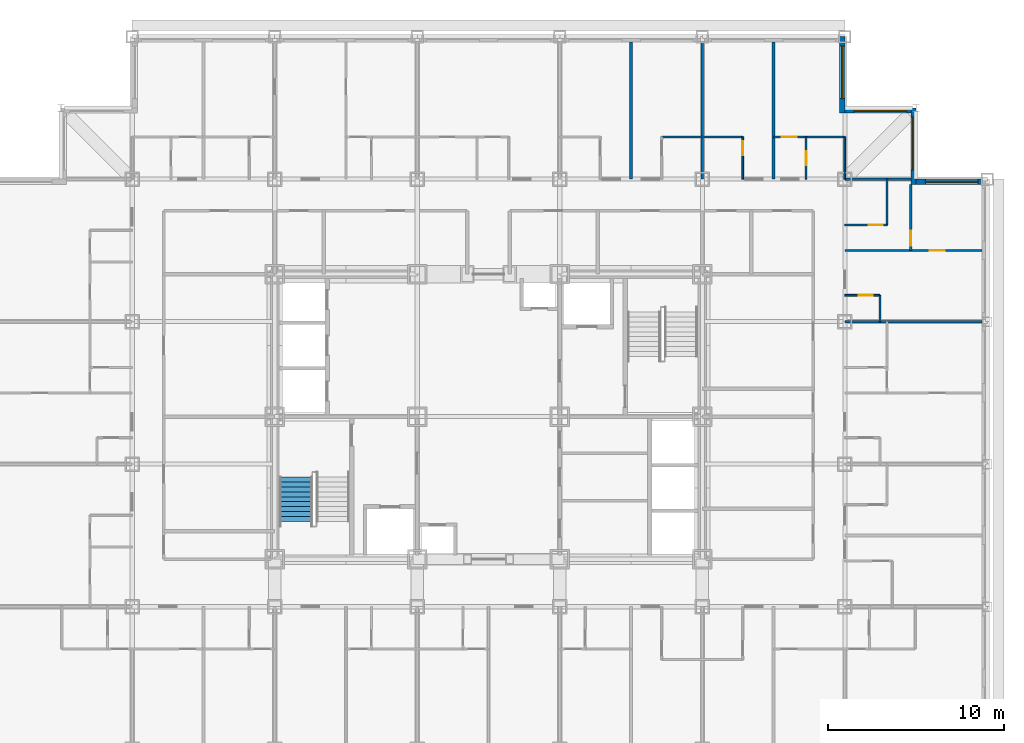
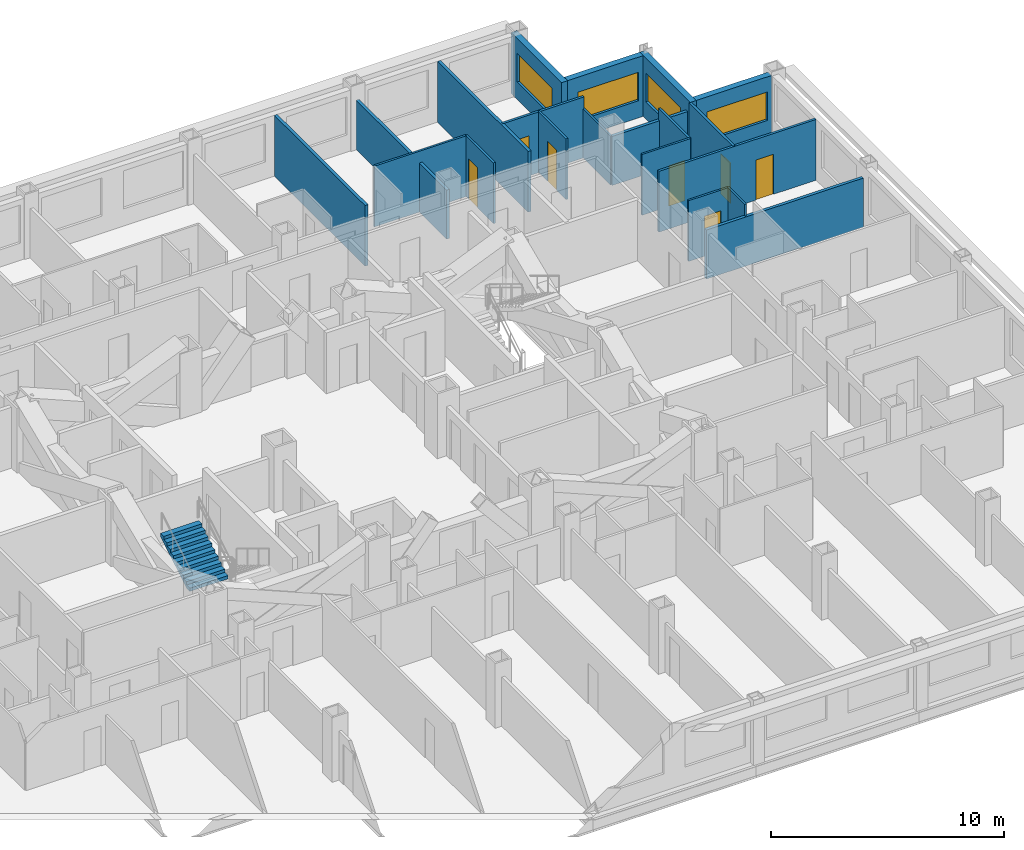
# One storey, part 11 of 13: 20 walls, 7 doors, 4 windows, 1 stair flight, 11 openings, 1 element without a shape of its own.
"""IFC4 building model written with IfcOpenShell, lengths in metres."""

import ifcopenshell
import ifcopenshell.guid

model = None  # the IFC model being written
_history = None  # IfcOwnerHistory: only IFC2X3 demands one
_inside = {}  # id of a spatial element -> (the spatial element, [elements in it])
_under = {}  # id of a project, library or spatial element -> (it, [spatial elements below it])
_declared = {}  # id of a project -> (the project, [libraries it declares])
_typed = {}  # id of a type object -> (the type object, [elements of that type])
_made_of = {}  # id of a material, layer set ... -> (it, [elements and type objects made of it])


def new_model(schema):
    """Start an empty IFC model of exactly this schema.

    Asked for "IFC4X3", IfcOpenShell would pick the latest addendum, in which some entities
    have other attributes; the version numbers below select the first issue.
    IFC2X3 requires an IfcOwnerHistory on every rooted entity: one is made here for all.
    """
    global model, _history
    if schema == "IFC4X3":
        model = ifcopenshell.file(schema_version=(4, 3, 0, 0))
    else:
        model = ifcopenshell.file(schema=schema)
    _inside.clear()
    _under.clear()
    _declared.clear()
    _typed.clear()
    _made_of.clear()
    _history = None
    if model.schema == "IFC2X3":
        org = make("IfcOrganization", Name="unknown")
        user = make(
            "IfcPersonAndOrganization",
            ThePerson=make("IfcPerson", FamilyName="unknown"),
            TheOrganization=org,
        )
        app = make(
            "IfcApplication",
            ApplicationDeveloper=org,
            Version="unknown",
            ApplicationFullName="unknown",
            ApplicationIdentifier="unknown",
        )
        _history = make(
            "IfcOwnerHistory",
            OwningUser=user,
            OwningApplication=app,
            ChangeAction="ADDED",
            CreationDate=0,
        )
    return model


def make(cls, **values):
    """One entity of the class cls with the attributes given. An attribute that is None is left unset."""
    return model.create_entity(
        cls, **{name: value for name, value in values.items() if value is not None}
    )


def rooted(cls, **values):
    """An entity with a GlobalId (a new one), such as an element, a storey or a relation."""
    return make(cls, GlobalId=ifcopenshell.guid.new(), OwnerHistory=_history, **values)


def si_unit(unit_type, name, prefix=None):
    """IfcSIUnit, for example si_unit("LENGTHUNIT", "METRE", prefix="MILLI")."""
    return make("IfcSIUnit", UnitType=unit_type, Prefix=prefix, Name=name)


def assignment(units):
    """IfcUnitAssignment: the units of a project."""
    return None if units is None else make("IfcUnitAssignment", Units=units)


def point(xyz):
    """IfcCartesianPoint."""
    return None if xyz is None else make("IfcCartesianPoint", Coordinates=xyz)


def direction(xyz):
    """IfcDirection."""
    return None if xyz is None else make("IfcDirection", DirectionRatios=xyz)


def frame(location, z_axis=None, x_axis=None):
    """IfcAxis2Placement3D, a coordinate frame: its origin and axes. An axis left out is left unset."""
    return make(
        "IfcAxis2Placement3D",
        Location=point(location),
        Axis=direction(z_axis),
        RefDirection=direction(x_axis),
    )


def frame_2d(location, x_axis=None):
    """IfcAxis2Placement2D, a coordinate frame in the plane: its origin and x axis."""
    return make(
        "IfcAxis2Placement2D", Location=point(location), RefDirection=direction(x_axis)
    )


def origin():
    """The frame at (0, 0, 0) with its axes left unset."""
    return frame((0.0, 0.0, 0.0))


def place(relative_to, where):
    """IfcLocalPlacement: puts the frame where relative to a parent placement (None: the world)."""
    return make(
        "IfcLocalPlacement", PlacementRelTo=relative_to, RelativePlacement=where
    )


def context(
    kind, dimensions, precision=None, world=None, true_north=None, identifier=None
):
    """IfcGeometricRepresentationContext, for example the 3D "Model" context."""
    return make(
        "IfcGeometricRepresentationContext",
        ContextIdentifier=identifier,
        ContextType=kind,
        CoordinateSpaceDimension=dimensions,
        Precision=precision,
        WorldCoordinateSystem=world,
        TrueNorth=true_north,
    )


def subcontext(parent, identifier, kind, view, scale=None):
    """IfcGeometricRepresentationSubContext, for example "Body" below "Model"."""
    return make(
        "IfcGeometricRepresentationSubContext",
        ContextIdentifier=identifier,
        ContextType=kind,
        ParentContext=parent,
        TargetScale=scale,
        TargetView=view,
    )


def project(units=None, contexts=None):
    """IfcProject with its units and contexts."""
    return rooted(
        "IfcProject",
        Name="project",
        RepresentationContexts=contexts,
        UnitsInContext=assignment(units),
    )


def spatial(cls, under=None, at=None, **own):
    """A site, building, storey or space (cls), placed at a placement, below another one or the project."""
    s = rooted(cls, ObjectPlacement=at, **own)
    if under is not None:
        _under.setdefault(under.id(), (under, []))[1].append(s)
    return s


def point_list(points):
    """IfcCartesianPointList2D or 3D."""
    cls = (
        "IfcCartesianPointList2D" if len(points[0]) == 2 else "IfcCartesianPointList3D"
    )
    return make(cls, CoordList=points)


def profile(cls, at=None, kind="AREA", **sizes):
    """A parametric profile (cls). Its sizes go by their IFC names, for example OverallWidth=200.0."""
    return make(cls, ProfileType=kind, Position=at, **sizes)


def rectangle(**sizes):
    """IfcRectangleProfileDef."""
    return profile("IfcRectangleProfileDef", **sizes)


def extrude(swept, where, along, depth):
    """IfcExtrudedAreaSolid: the profile swept, set in the frame where, extruded along a direction by depth."""
    return make(
        "IfcExtrudedAreaSolid",
        SweptArea=swept,
        Position=where,
        ExtrudedDirection=direction(along),
        Depth=depth,
    )


def polygons(points, faces, closed=None, point_numbers=None):
    """IfcPolygonalFaceSet: a face is its outer loop, then its inner loops; points numbered from 1."""
    made = []
    for loops in faces:
        if len(loops) == 1:
            made.append(make("IfcIndexedPolygonalFace", CoordIndex=loops[0]))
        else:
            made.append(
                make(
                    "IfcIndexedPolygonalFaceWithVoids",
                    CoordIndex=loops[0],
                    InnerCoordIndices=loops[1:],
                )
            )
    return make(
        "IfcPolygonalFaceSet",
        Coordinates=point_list(points),
        Closed=closed,
        Faces=made,
        PnIndex=point_numbers,
    )


def shape(context_of_items, identifier, shape_type, items):
    """IfcShapeRepresentation: the items that make up one representation, for example the "Body"."""
    return make(
        "IfcShapeRepresentation",
        ContextOfItems=context_of_items,
        RepresentationIdentifier=identifier,
        RepresentationType=shape_type,
        Items=items,
    )


def source(mapping_origin, context_of_items, identifier, shape_type, items):
    """IfcRepresentationMap: a shape defined once, which mapped items show again and again."""
    return make(
        "IfcRepresentationMap",
        MappingOrigin=mapping_origin,
        MappedRepresentation=shape(context_of_items, identifier, shape_type, items),
    )


def transform(
    local_origin,
    x_axis=None,
    y_axis=None,
    z_axis=None,
    scale=None,
    scale2=None,
    scale3=None,
    uniform=True,
):
    """IfcCartesianTransformationOperator3D, or its non-uniform kind. x_axis, y_axis, z_axis: its Axis1, 2, 3."""
    if uniform:
        return make(
            "IfcCartesianTransformationOperator3D",
            Axis1=direction(x_axis),
            Axis2=direction(y_axis),
            LocalOrigin=point(local_origin),
            Scale=scale,
            Axis3=direction(z_axis),
        )
    return make(
        "IfcCartesianTransformationOperator3DnonUniform",
        Axis1=direction(x_axis),
        Axis2=direction(y_axis),
        LocalOrigin=point(local_origin),
        Scale=scale,
        Axis3=direction(z_axis),
        Scale2=scale2,
        Scale3=scale3,
    )


def mapped(mapping_source, mapping_target):
    """IfcMappedItem: shows the shape of a source again, moved by a transform."""
    return make(
        "IfcMappedItem", MappingSource=mapping_source, MappingTarget=mapping_target
    )


def material(Name=None, Category=None):
    """IfcMaterial."""
    return make("IfcMaterial", Name=Name, Category=Category)


def layer(
    of_material, thickness, ventilated=None, Name=None, Category=None, Priority=None
):
    """IfcMaterialLayer: one layer of a wall or slab, of a material (None: an air gap)."""
    return make(
        "IfcMaterialLayer",
        Material=of_material,
        LayerThickness=thickness,
        IsVentilated=ventilated,
        Name=Name,
        Category=Category,
        Priority=Priority,
    )


def layer_set(layers, Name=None):
    """IfcMaterialLayerSet."""
    return make("IfcMaterialLayerSet", MaterialLayers=layers, LayerSetName=Name)


def made_of(thing, what):
    """Note that an element or type object is made of a material, layer set ...; save() writes the relation."""
    if what is not None:
        _made_of.setdefault(what.id(), (what, []))[1].append(thing)
    return thing


def type_object(cls, material=None, **own):
    """A type object (cls), such as IfcWallType, which elements share."""
    return made_of(rooted(cls, **own), material)


def element(
    cls,
    number,
    at=None,
    inside=None,
    cuts=None,
    type_object=None,
    material=None,
    context=None,
    identifier="Body",
    shape_type=None,
    held_by="IfcProductDefinitionShape",
    body=None,
    shapes=None,
    **own,
):
    """One element of the class cls, such as IfcWall. Its Tag is "e" and its number.

    at: its placement. inside: the storey or other place that contains it. cuts: it is an
    opening in that element (IfcRelVoidsElement). A single representation is given by context,
    identifier, shape_type and body (its items); several are given by shapes. held_by: the class
    of the entity that holds the representations. save() writes the other relations.
    """
    e = rooted(cls, Tag="e%d" % number, ObjectPlacement=at, **own)
    if body is not None:
        shapes = [shape(context, identifier, shape_type, body)]
    if shapes is not None:
        e.Representation = make(held_by, Representations=shapes)
    if inside is not None:
        _inside.setdefault(inside.id(), (inside, []))[1].append(e)
    if cuts is not None:
        rooted(
            "IfcRelVoidsElement", RelatingBuildingElement=cuts, RelatedOpeningElement=e
        )
    if type_object is not None:
        _typed.setdefault(type_object.id(), (type_object, []))[1].append(e)
    return made_of(e, material)


def fill(opening, filler):
    """IfcRelFillsElement: the door or window that sits in an opening."""
    return rooted(
        "IfcRelFillsElement",
        RelatingOpeningElement=opening,
        RelatedBuildingElement=filler,
    )


def aggregate(whole, parts):
    """IfcRelAggregates: a whole, such as a stair, and the parts it consists of."""
    return rooted("IfcRelAggregates", RelatingObject=whole, RelatedObjects=parts)


def save(model, path):
    """Write the relations noted so far, then the file.

    IfcRelAggregates (storeys below a building ...), IfcRelContainedInSpatialStructure (elements
    in a storey), IfcRelDefinesByType, IfcRelAssociatesMaterial and IfcRelDeclares: one each for
    every whole, place, type object, material and project.
    """
    for whole, parts in _under.values():
        aggregate(whole, parts)
    for where, things in _inside.values():
        rooted(
            "IfcRelContainedInSpatialStructure",
            RelatedElements=things,
            RelatingStructure=where,
        )
    for kind, things in _typed.values():
        rooted("IfcRelDefinesByType", RelatedObjects=things, RelatingType=kind)
    for what, things in _made_of.values():
        rooted("IfcRelAssociatesMaterial", RelatedObjects=things, RelatingMaterial=what)
    for by, libraries in _declared.values():
        rooted("IfcRelDeclares", RelatingContext=by, RelatedDefinitions=libraries)
    model.write(path)


model = new_model("IFC4")

# Units and contexts
model_context = context("Model", 3, precision=1e-05, world=origin(), true_north=direction((0.0, 1.0)))
body_context = subcontext(model_context, "Body", "Model", "MODEL_VIEW")
ifc_project = project(units=[si_unit("LENGTHUNIT", "METRE"), si_unit("AREAUNIT", "SQUARE_METRE"), si_unit("VOLUMEUNIT", "CUBIC_METRE"), si_unit("PLANEANGLEUNIT", "RADIAN"), si_unit("MASSUNIT", "GRAM", prefix="KILO")], contexts=[model_context])

# Site, building, storey
site_placement = place(None, origin())
site = spatial("IfcSite", under=ifc_project, at=site_placement, CompositionType="ELEMENT")
building_placement = place(site_placement, origin())
building = spatial("IfcBuilding", under=site, at=building_placement, Name="Kopane Lantern Tower", CompositionType="ELEMENT")
storey_placement = place(building_placement, frame((0.0, 0.0, 130.60009765625)))
storey = spatial("IfcBuildingStorey", under=building, at=storey_placement, Name="L33", CompositionType="ELEMENT", Elevation=130.60009765625)

# Wall, opening, door
ifc_material_1 = material(Name="Gypsum board on steel studs", Category="steel")
ifc_layer_1 = layer(ifc_material_1, 0.1201171875)
ifc_layer_set_1 = layer_set([ifc_layer_1], Name="APARTMENT INTERNAL WALL 120")
wall_type_1 = type_object("IfcWallType", Name="APARTMENT INTERNAL WALL 120", PredefinedType="PARTITIONING", material=ifc_layer_set_1)
wall_1_placement = place(storey_placement, frame((48.60009765625, 41.85009765625, 0.0), z_axis=(0.0, 0.0, 1.0), x_axis=(1.0, 0.0, 0.0)))
wall_1 = element("IfcWall", 1, at=wall_1_placement, inside=storey, type_object=wall_type_1, Name="Apartment Internal Wall 120 L33", PredefinedType="PARTITIONING", context=body_context, shape_type="SweptSolid", body=[
    extrude(rectangle(XDim=7.7998046875, YDim=0.1201171875, at=frame_2d((3.89990234375, 0.0))), origin(), (0.0, 0.0, 1.0), 3.18994140625),
])
opening_1_placement = place(wall_1_placement, frame((4.824951171875, 0.0, 0.0)))
opening_1 = element("IfcOpeningElement", 2, at=opening_1_placement, cuts=wall_1, Name="Opening L33-064", PredefinedType="OPENING", context=body_context, shape_type="SweptSolid", body=[
    extrude(rectangle(XDim=0.85009765625, YDim=2.10009765625, at=frame_2d((0.425048828125, 1.050048828125))), frame((0.0, 0.070068359375, 0.0), z_axis=(0.0, -1.0, 0.0), x_axis=(1.0, 0.0, 0.0)), (0.0, 0.0, 1.0), 0.14013671875),
])
ifc_material_2 = material(Name="Timber door set", Category="wood")
door_type_1 = type_object("IfcDoorType", Name="DOOR D4 850x2100", OperationType="SINGLE_SWING_LEFT", PredefinedType="DOOR", material=ifc_material_2)
door_1_placement = place(opening_1_placement, origin())
door_1 = element("IfcDoor", 3, at=door_1_placement, inside=storey, type_object=door_type_1, Name="Door L33-064", OperationType="SINGLE_SWING_LEFT", OverallHeight=2.10009765625, OverallWidth=0.85009765625, PredefinedType="DOOR", context=body_context, shape_type="SweptSolid", body=[
    extrude(rectangle(XDim=0.85009765625, YDim=2.10009765625, at=frame_2d((0.425048828125, 1.050048828125))), frame((0.0, 0.02490234375, 0.0), z_axis=(0.0, -1.0, 0.0), x_axis=(1.0, 0.0, 0.0)), (0.0, 0.0, 1.0), 0.050048828125),
])
fill(opening_1, door_1)

wall_2_placement = place(storey_placement, frame((44.550048828125, 48.300048828125, 0.0), z_axis=(0.0, 0.0, 1.0), x_axis=(1.0, 0.0, 0.0)))
wall_2 = element("IfcWall", 4, at=wall_2_placement, inside=storey, type_object=wall_type_1, Name="Apartment Internal Wall 120 L33", PredefinedType="PARTITIONING", context=body_context, shape_type="SweptSolid", body=[
    extrude(rectangle(XDim=4.050048828125, YDim=0.1201171875, at=frame_2d((2.02490234375, 0.0))), origin(), (0.0, 0.0, 1.0), 3.18994140625),
])
opening_2_placement = place(wall_2_placement, frame((0.47509765625, 0.0, 0.0)))
opening_2 = element("IfcOpeningElement", 5, at=opening_2_placement, cuts=wall_2, Name="Opening L33-075", PredefinedType="OPENING", context=body_context, shape_type="SweptSolid", body=[
    extrude(rectangle(XDim=0.85009765625, YDim=2.10009765625, at=frame_2d((0.425048828125, 1.050048828125))), frame((0.0, 0.070068359375, 0.0), z_axis=(0.0, -1.0, 0.0), x_axis=(1.0, 0.0, 0.0)), (0.0, 0.0, 1.0), 0.14013671875),
])
door_2_placement = place(opening_2_placement, origin())
door_2 = element("IfcDoor", 6, at=door_2_placement, inside=storey, type_object=door_type_1, Name="Door L33-075", OperationType="SINGLE_SWING_LEFT", OverallHeight=2.10009765625, OverallWidth=0.85009765625, PredefinedType="DOOR", context=body_context, shape_type="SweptSolid", body=[
    extrude(rectangle(XDim=0.85009765625, YDim=2.10009765625, at=frame_2d((0.425048828125, 1.050048828125))), frame((0.0, 0.02490234375, 0.0), z_axis=(0.0, -1.0, 0.0), x_axis=(1.0, 0.0, 0.0)), (0.0, 0.0, 1.0), 0.050048828125),
])
fill(opening_2, door_2)

wall_3_placement = place(storey_placement, frame((52.35009765625, 45.60009765625, 0.0), z_axis=(0.0, 0.0, 1.0), x_axis=(0.0, -1.0, 0.0)))
wall_3 = element("IfcWall", 7, at=wall_3_placement, inside=storey, type_object=wall_type_1, Name="Apartment Internal Wall 120 L33", PredefinedType="PARTITIONING", context=body_context, shape_type="SweptSolid", body=[
    extrude(rectangle(XDim=3.75, YDim=0.1201171875, at=frame_2d((1.875, 0.0))), origin(), (0.0, 0.0, 1.0), 3.18994140625),
])
opening_3_placement = place(wall_3_placement, frame((2.625, 0.0, 0.0)))
opening_3 = element("IfcOpeningElement", 8, at=opening_3_placement, cuts=wall_3, Name="Opening L33-087", PredefinedType="OPENING", context=body_context, shape_type="SweptSolid", body=[
    extrude(rectangle(XDim=0.85009765625, YDim=2.10009765625, at=frame_2d((0.425048828125, 1.050048828125))), frame((0.0, 0.070068359375, 0.0), z_axis=(0.0, -1.0, 0.0), x_axis=(1.0, 0.0, 0.0)), (0.0, 0.0, 1.0), 0.14013671875),
])
door_3_placement = place(opening_3_placement, origin())
door_3 = element("IfcDoor", 9, at=door_3_placement, inside=storey, type_object=door_type_1, Name="Door L33-087", OperationType="SINGLE_SWING_RIGHT", OverallHeight=2.10009765625, OverallWidth=0.85009765625, PredefinedType="DOOR", context=body_context, shape_type="SweptSolid", body=[
    extrude(rectangle(XDim=0.85009765625, YDim=2.10009765625, at=frame_2d((0.425048828125, 1.050048828125))), frame((0.0, 0.02490234375, 0.0), z_axis=(0.0, -1.0, 0.0), x_axis=(1.0, 0.0, 0.0)), (0.0, 0.0, 1.0), 0.050048828125),
])
fill(opening_3, door_3)

# Wall
ifc_material_3 = material(Name="Moisture-resistant board on steel studs", Category="steel")
ifc_layer_2 = layer(ifc_material_3, 0.10009765625)
ifc_layer_set_2 = layer_set([ifc_layer_2], Name="BATHROOM WALL 100")
wall_type_2 = type_object("IfcWallType", Name="BATHROOM WALL 100", PredefinedType="PARTITIONING", material=ifc_layer_set_2)
wall_4_placement = place(storey_placement, frame((38.199951171875, 48.300048828125, 0.0), z_axis=(0.0, 0.0, 1.0), x_axis=(1.0, 0.0, 0.0)))
element("IfcWall", 10, at=wall_4_placement, inside=storey, type_object=wall_type_2, Name="Bathroom Wall 100 L33", PredefinedType="PARTITIONING", context=body_context, shape_type="SweptSolid", body=[
    extrude(rectangle(XDim=4.60009765625, YDim=0.10009765625, at=frame_2d((2.300048828125, 0.0))), origin(), (0.0, 0.0, 1.0), 3.18994140625),
])

# Wall, opening, door
wall_5_placement = place(storey_placement, frame((42.800048828125, 45.89990234375, 0.0), z_axis=(0.0, 0.0, 1.0), x_axis=(0.0, 1.0, 0.0)))
wall_5 = element("IfcWall", 11, at=wall_5_placement, inside=storey, type_object=wall_type_2, Name="Bathroom Wall 100 L33", PredefinedType="PARTITIONING", context=body_context, shape_type="SweptSolid", body=[
    extrude(rectangle(XDim=2.400146484375, YDim=0.10009765625, at=frame_2d((1.2001953125, 0.0))), origin(), (0.0, 0.0, 1.0), 3.18994140625),
])
opening_4_placement = place(wall_5_placement, frame((1.35009765625, 0.0, 0.0)))
opening_4 = element("IfcOpeningElement", 12, at=opening_4_placement, cuts=wall_5, Name="Opening L33-041", PredefinedType="OPENING", context=body_context, shape_type="SweptSolid", body=[
    extrude(rectangle(XDim=0.800048828125, YDim=2.10009765625, at=frame_2d((0.39990234375, 1.050048828125))), frame((0.0, 0.06005859375, 0.0), z_axis=(0.0, -1.0, 0.0), x_axis=(1.0, 0.0, 0.0)), (0.0, 0.0, 1.0), 0.1201171875),
])
ifc_material_4 = material(Name="Timber door set", Category="wood")
door_type_2 = type_object("IfcDoorType", Name="DOOR D2 800x2100", OperationType="SINGLE_SWING_LEFT", PredefinedType="DOOR", material=ifc_material_4)
door_4_placement = place(opening_4_placement, origin())
door_4 = element("IfcDoor", 13, at=door_4_placement, inside=storey, type_object=door_type_2, Name="Door L33-041", OperationType="SINGLE_SWING_RIGHT", OverallHeight=2.10009765625, OverallWidth=0.800048828125, PredefinedType="DOOR", context=body_context, shape_type="SweptSolid", body=[
    extrude(rectangle(XDim=0.800048828125, YDim=2.10009765625, at=frame_2d((0.39990234375, 1.050048828125))), frame((0.0, 0.02490234375, 0.0), z_axis=(0.0, -1.0, 0.0), x_axis=(1.0, 0.0, 0.0)), (0.0, 0.0, 1.0), 0.050048828125),
])
fill(opening_4, door_4)

# Wall
wall_6_placement = place(storey_placement, frame((50.60009765625, 37.800048828125, 0.0), z_axis=(0.0, 0.0, 1.0), x_axis=(0.0, 1.0, 0.0)))
element("IfcWall", 14, at=wall_6_placement, inside=storey, type_object=wall_type_2, Name="Bathroom Wall 100 L33", PredefinedType="PARTITIONING", context=body_context, shape_type="SweptSolid", body=[
    extrude(rectangle(XDim=1.5, YDim=0.10009765625, at=frame_2d((0.75, 0.0))), origin(), (0.0, 0.0, 1.0), 3.18994140625),
])

# Wall, opening, door
wall_7_placement = place(storey_placement, frame((48.60009765625, 39.300048828125, 0.0), z_axis=(0.0, 0.0, 1.0), x_axis=(1.0, 0.0, 0.0)))
wall_7 = element("IfcWall", 15, at=wall_7_placement, inside=storey, type_object=wall_type_2, Name="Bathroom Wall 100 L33", PredefinedType="PARTITIONING", context=body_context, shape_type="SweptSolid", body=[
    extrude(rectangle(XDim=2.0, YDim=0.10009765625, at=frame_2d((1.0, 0.0))), origin(), (0.0, 0.0, 1.0), 3.18994140625),
])
opening_5_placement = place(wall_7_placement, frame((0.800048828125, 0.0, 0.0)))
opening_5 = element("IfcOpeningElement", 16, at=opening_5_placement, cuts=wall_7, Name="Opening L33-061", PredefinedType="OPENING", context=body_context, shape_type="SweptSolid", body=[
    extrude(rectangle(XDim=0.800048828125, YDim=2.10009765625, at=frame_2d((0.39990234375, 1.050048828125))), frame((0.0, 0.06005859375, 0.0), z_axis=(0.0, -1.0, 0.0), x_axis=(1.0, 0.0, 0.0)), (0.0, 0.0, 1.0), 0.1201171875),
])
door_5_placement = place(opening_5_placement, origin())
door_5 = element("IfcDoor", 17, at=door_5_placement, inside=storey, type_object=door_type_2, Name="Door L33-061", OperationType="SINGLE_SWING_LEFT", OverallHeight=2.10009765625, OverallWidth=0.800048828125, PredefinedType="DOOR", context=body_context, shape_type="SweptSolid", body=[
    extrude(rectangle(XDim=0.800048828125, YDim=2.10009765625, at=frame_2d((0.39990234375, 1.050048828125))), frame((0.0, 0.02490234375, 0.0), z_axis=(0.0, -1.0, 0.0), x_axis=(1.0, 0.0, 0.0)), (0.0, 0.0, 1.0), 0.050048828125),
])
fill(opening_5, door_5)

# Wall
wall_8_placement = place(storey_placement, frame((51.0, 43.300048828125, 0.0), z_axis=(0.0, 0.0, 1.0), x_axis=(0.0, 1.0, 0.0)))
element("IfcWall", 18, at=wall_8_placement, inside=storey, type_object=wall_type_2, Name="Bathroom Wall 100 L33", PredefinedType="PARTITIONING", context=body_context, shape_type="SweptSolid", body=[
    extrude(rectangle(XDim=2.599853515625, YDim=0.10009765625, at=frame_2d((1.2998046875, 0.0))), origin(), (0.0, 0.0, 1.0), 3.18994140625),
])

# Wall, opening, door
wall_9_placement = place(storey_placement, frame((48.60009765625, 43.300048828125, 0.0), z_axis=(0.0, 0.0, 1.0), x_axis=(1.0, 0.0, 0.0)))
wall_9 = element("IfcWall", 19, at=wall_9_placement, inside=storey, type_object=wall_type_2, Name="Bathroom Wall 100 L33", PredefinedType="PARTITIONING", context=body_context, shape_type="SweptSolid", body=[
    extrude(rectangle(XDim=2.39990234375, YDim=0.10009765625, at=frame_2d((1.199951171875, 0.0))), origin(), (0.0, 0.0, 1.0), 3.18994140625),
])
opening_6_placement = place(wall_9_placement, frame((1.35009765625, 0.0, 0.0)))
opening_6 = element("IfcOpeningElement", 20, at=opening_6_placement, cuts=wall_9, Name="Opening L33-063", PredefinedType="OPENING", context=body_context, shape_type="SweptSolid", body=[
    extrude(rectangle(XDim=0.800048828125, YDim=2.10009765625, at=frame_2d((0.39990234375, 1.050048828125))), frame((0.0, 0.06005859375, 0.0), z_axis=(0.0, -1.0, 0.0), x_axis=(1.0, 0.0, 0.0)), (0.0, 0.0, 1.0), 0.1201171875),
])
door_6_placement = place(opening_6_placement, origin())
door_6 = element("IfcDoor", 21, at=door_6_placement, inside=storey, type_object=door_type_2, Name="Door L33-063", OperationType="SINGLE_SWING_RIGHT", OverallHeight=2.10009765625, OverallWidth=0.800048828125, PredefinedType="DOOR", context=body_context, shape_type="SweptSolid", body=[
    extrude(rectangle(XDim=0.800048828125, YDim=2.10009765625, at=frame_2d((0.39990234375, 1.050048828125))), frame((0.0, 0.02490234375, 0.0), z_axis=(0.0, -1.0, 0.0), x_axis=(1.0, 0.0, 0.0)), (0.0, 0.0, 1.0), 0.050048828125),
])
fill(opening_6, door_6)

wall_10_placement = place(storey_placement, frame((46.39990234375, 45.89990234375, 0.0), z_axis=(0.0, 0.0, 1.0), x_axis=(0.0, 1.0, 0.0)))
wall_10 = element("IfcWall", 22, at=wall_10_placement, inside=storey, type_object=wall_type_2, Name="Bathroom Wall 100 L33", PredefinedType="PARTITIONING", context=body_context, shape_type="SweptSolid", body=[
    extrude(rectangle(XDim=2.400146484375, YDim=0.10009765625, at=frame_2d((1.2001953125, 0.0))), origin(), (0.0, 0.0, 1.0), 3.18994140625),
])
opening_7_placement = place(wall_10_placement, frame((0.800048828125, 0.0, 0.0)))
opening_7 = element("IfcOpeningElement", 23, at=opening_7_placement, cuts=wall_10, Name="Opening L33-073", PredefinedType="OPENING", context=body_context, shape_type="SweptSolid", body=[
    extrude(rectangle(XDim=0.800048828125, YDim=2.10009765625, at=frame_2d((0.39990234375, 1.050048828125))), frame((0.0, 0.06005859375, 0.0), z_axis=(0.0, -1.0, 0.0), x_axis=(1.0, 0.0, 0.0)), (0.0, 0.0, 1.0), 0.1201171875),
])
door_7_placement = place(opening_7_placement, origin())
door_7 = element("IfcDoor", 24, at=door_7_placement, inside=storey, type_object=door_type_2, Name="Door L33-073", OperationType="SINGLE_SWING_RIGHT", OverallHeight=2.10009765625, OverallWidth=0.800048828125, PredefinedType="DOOR", context=body_context, shape_type="SweptSolid", body=[
    extrude(rectangle(XDim=0.800048828125, YDim=2.10009765625, at=frame_2d((0.39990234375, 1.050048828125))), frame((0.0, 0.02490234375, 0.0), z_axis=(0.0, -1.0, 0.0), x_axis=(1.0, 0.0, 0.0)), (0.0, 0.0, 1.0), 0.050048828125),
])
fill(opening_7, door_7)

# Walls
wall_11_placement = place(storey_placement, frame((48.60009765625, 45.89990234375, 0.0), z_axis=(0.0, 0.0, 1.0), x_axis=(0.0, 1.0, 0.0)))
element("IfcWall", 25, at=wall_11_placement, inside=storey, type_object=wall_type_2, Name="Bathroom Wall 100 L33", PredefinedType="PARTITIONING", context=body_context, shape_type="SweptSolid", body=[
    extrude(rectangle(XDim=2.400146484375, YDim=0.10009765625, at=frame_2d((1.2001953125, 0.0))), origin(), (0.0, 0.0, 1.0), 2.57763671875),
])
ifc_material_5 = material(Name="Gypsum board on steel studs", Category="steel")
ifc_layer_3 = layer(ifc_material_5, 0.14990234375)
ifc_layer_set_3 = layer_set([ifc_layer_3], Name="DEMISING WALL 150 EI 60")
wall_type_3 = type_object("IfcWallType", Name="DEMISING WALL 150 EI 60", PredefinedType="PARTITIONING", material=ifc_layer_set_3)
wall_12_placement = place(storey_placement, frame((36.449951171875, 45.89990234375, 0.0), z_axis=(0.0, 0.0, 1.0), x_axis=(0.0, 1.0, 0.0)))
element("IfcWall", 26, at=wall_12_placement, inside=storey, type_object=wall_type_3, Name="Demising Wall 150 Ei 60 L33", PredefinedType="PARTITIONING", context=body_context, shape_type="SweptSolid", body=[
    extrude(rectangle(XDim=7.800048828125, YDim=0.14990234375, at=frame_2d((3.89990234375, 0.0))), origin(), (0.0, 0.0, 1.0), 3.18994140625),
])
wall_13_placement = place(storey_placement, frame((40.5, 45.89990234375, 0.0), z_axis=(0.0, 0.0, 1.0), x_axis=(0.0, 1.0, 0.0)))
element("IfcWall", 27, at=wall_13_placement, inside=storey, type_object=wall_type_3, Name="Demising Wall 150 Ei 60 L33", PredefinedType="PARTITIONING", context=body_context, shape_type="SweptSolid", body=[
    extrude(rectangle(XDim=7.800048828125, YDim=0.14990234375, at=frame_2d((3.89990234375, 0.0))), origin(), (0.0, 0.0, 1.0), 2.57763671875),
])
wall_14_placement = place(storey_placement, frame((48.60009765625, 37.800048828125, 0.0), z_axis=(0.0, 0.0, 1.0), x_axis=(1.0, 0.0, 0.0)))
element("IfcWall", 28, at=wall_14_placement, inside=storey, type_object=wall_type_3, Name="Demising Wall 150 Ei 60 L33", PredefinedType="PARTITIONING", context=body_context, shape_type="SweptSolid", body=[
    extrude(rectangle(XDim=7.7998046875, YDim=0.14990234375, at=frame_2d((3.89990234375, 0.0))), origin(), (0.0, 0.0, 1.0), 2.57763671875),
])
wall_15_placement = place(storey_placement, frame((48.60009765625, 45.89990234375, 0.0), z_axis=(0.0, 0.0, 1.0), x_axis=(1.0, 0.0, 0.0)))
element("IfcWall", 29, at=wall_15_placement, inside=storey, type_object=wall_type_3, Name="Demising Wall 150 Ei 60 L33", PredefinedType="PARTITIONING", context=body_context, shape_type="SweptSolid", body=[
    extrude(rectangle(XDim=3.75, YDim=0.14990234375, at=frame_2d((1.875, 0.0))), origin(), (0.0, 0.0, 1.0), 2.57763671875),
])
wall_16_placement = place(storey_placement, frame((44.550048828125, 45.89990234375, 0.0), z_axis=(0.0, 0.0, 1.0), x_axis=(0.0, 1.0, 0.0)))
element("IfcWall", 30, at=wall_16_placement, inside=storey, type_object=wall_type_3, Name="Demising Wall 150 Ei 60 L33", PredefinedType="PARTITIONING", context=body_context, shape_type="SweptSolid", body=[
    extrude(rectangle(XDim=7.800048828125, YDim=0.14990234375, at=frame_2d((3.89990234375, 0.0))), origin(), (0.0, 0.0, 1.0), 3.18994140625),
])

# Wall, opening, window
ifc_material_6 = material(Name="Terracotta rainscreen on light steel framing", Category="masonry")
ifc_layer_4 = layer(ifc_material_6, 0.300048828125)
ifc_layer_set_4 = layer_set([ifc_layer_4], Name="EXTERNAL WALL EW1 300 TERRACOTTA")
wall_type_4 = type_object("IfcWallType", Name="EXTERNAL WALL EW1 300 TERRACOTTA", PredefinedType="SOLIDWALL", material=ifc_layer_set_4)
wall_17_placement = place(storey_placement, frame((56.39990234375, 45.75, 0.0), z_axis=(0.0, 0.0, 1.0), x_axis=(-1.0, 0.0, 0.0)))
wall_17 = element("IfcWall", 31, at=wall_17_placement, inside=storey, type_object=wall_type_4, Name="External wall N L33", PredefinedType="SOLIDWALL", context=body_context, shape_type="SweptSolid", body=[
    extrude(rectangle(XDim=3.75, YDim=0.300048828125, at=frame_2d((1.875, 0.0))), origin(), (0.0, 0.0, 1.0), 3.18994140625),
])
opening_8_placement = place(wall_17_placement, frame((0.22509765625, 0.0, 0.89990234375)))
opening_8 = element("IfcOpeningElement", 32, at=opening_8_placement, cuts=wall_17, Name="Opening WR300150", PredefinedType="OPENING", context=body_context, shape_type="SweptSolid", body=[
    extrude(rectangle(XDim=3.0, YDim=1.5, at=frame_2d((1.5, 0.75))), frame((0.0, 0.159912109375, 0.0), z_axis=(0.0, -1.0, 0.0), x_axis=(1.0, 0.0, 0.0)), (0.0, 0.0, 1.0), 0.320068359375),
])
ifc_material_7 = material(Name="Aluminium and clear glass", Category="aluminium")
window_type = type_object("IfcWindowType", Name="RIBBON WINDOW WR300150 3000x1500", PartitioningType="SINGLE_PANEL", PredefinedType="WINDOW", material=ifc_material_7)
window_1_placement = place(opening_8_placement, origin())
window_1 = element("IfcWindow", 33, at=window_1_placement, inside=storey, type_object=window_type, Name="Window N L33", OverallHeight=1.5, OverallWidth=3.0, PartitioningType="SINGLE_PANEL", PredefinedType="WINDOW", context=body_context, shape_type="SweptSolid", body=[
    extrude(rectangle(XDim=3.0, YDim=1.5, at=frame_2d((1.5, 0.75))), frame((0.0, 0.030029296875, 0.0), z_axis=(0.0, -1.0, 0.0), x_axis=(1.0, 0.0, 0.0)), (0.0, 0.0, 1.0), 0.06005859375),
])
fill(opening_8, window_1)

wall_18_placement = place(storey_placement, frame((52.5, 45.60009765625, 0.0), z_axis=(0.0, 0.0, 1.0), x_axis=(0.0, 1.0, 0.0)))
wall_18 = element("IfcWall", 34, at=wall_18_placement, inside=storey, type_object=wall_type_4, Name="External wall E L33", PredefinedType="SOLIDWALL", context=body_context, shape_type="SweptSolid", body=[
    extrude(rectangle(XDim=4.349853515625, YDim=0.300048828125, at=frame_2d((2.1748046875, 0.0))), origin(), (0.0, 0.0, 1.0), 3.18994140625),
])
opening_9_placement = place(wall_18_placement, frame((0.824951171875, 0.0, 0.89990234375)))
opening_9 = element("IfcOpeningElement", 35, at=opening_9_placement, cuts=wall_18, Name="Opening WR300150", PredefinedType="OPENING", context=body_context, shape_type="SweptSolid", body=[
    extrude(rectangle(XDim=3.0, YDim=1.5, at=frame_2d((1.5, 0.75))), frame((0.0, 0.159912109375, 0.0), z_axis=(0.0, -1.0, 0.0), x_axis=(1.0, 0.0, 0.0)), (0.0, 0.0, 1.0), 0.320068359375),
])
window_2_placement = place(opening_9_placement, origin())
window_2 = element("IfcWindow", 36, at=window_2_placement, inside=storey, type_object=window_type, Name="Window E L33", OverallHeight=1.5, OverallWidth=3.0, PartitioningType="SINGLE_PANEL", PredefinedType="WINDOW", context=body_context, shape_type="SweptSolid", body=[
    extrude(rectangle(XDim=3.0, YDim=1.5, at=frame_2d((1.5, 0.75))), frame((0.0, 0.030029296875, 0.0), z_axis=(0.0, -1.0, 0.0), x_axis=(1.0, 0.0, 0.0)), (0.0, 0.0, 1.0), 0.06005859375),
])
fill(opening_9, window_2)

wall_19_placement = place(storey_placement, frame((52.35009765625, 49.800048828125, 0.0), z_axis=(0.0, 0.0, 1.0), x_axis=(-1.0, 0.0, 0.0)))
wall_19 = element("IfcWall", 37, at=wall_19_placement, inside=storey, type_object=wall_type_4, Name="External wall N L33", PredefinedType="SOLIDWALL", context=body_context, shape_type="SweptSolid", body=[
    extrude(rectangle(XDim=3.75, YDim=0.300048828125, at=frame_2d((1.875, 0.0))), origin(), (0.0, 0.0, 1.0), 3.18994140625),
])
opening_10_placement = place(wall_19_placement, frame((0.22509765625, 0.0, 0.89990234375)))
opening_10 = element("IfcOpeningElement", 38, at=opening_10_placement, cuts=wall_19, Name="Opening WR300150", PredefinedType="OPENING", context=body_context, shape_type="SweptSolid", body=[
    extrude(rectangle(XDim=3.0, YDim=1.5, at=frame_2d((1.5, 0.75))), frame((0.0, 0.159912109375, 0.0), z_axis=(0.0, -1.0, 0.0), x_axis=(1.0, 0.0, 0.0)), (0.0, 0.0, 1.0), 0.320068359375),
])
window_3_placement = place(opening_10_placement, origin())
window_3 = element("IfcWindow", 39, at=window_3_placement, inside=storey, type_object=window_type, Name="Window N L33", OverallHeight=1.5, OverallWidth=3.0, PartitioningType="SINGLE_PANEL", PredefinedType="WINDOW", context=body_context, shape_type="SweptSolid", body=[
    extrude(rectangle(XDim=3.0, YDim=1.5, at=frame_2d((1.5, 0.75))), frame((0.0, 0.030029296875, 0.0), z_axis=(0.0, -1.0, 0.0), x_axis=(1.0, 0.0, 0.0)), (0.0, 0.0, 1.0), 0.06005859375),
])
fill(opening_10, window_3)

wall_20_placement = place(storey_placement, frame((48.449951171875, 49.64990234375, 0.0), z_axis=(0.0, 0.0, 1.0), x_axis=(0.0, 1.0, 0.0)))
wall_20 = element("IfcWall", 40, at=wall_20_placement, inside=storey, type_object=wall_type_4, Name="External wall E L33", PredefinedType="SOLIDWALL", context=body_context, shape_type="SweptSolid", body=[
    extrude(rectangle(XDim=4.35009765625, YDim=0.300048828125, at=frame_2d((2.175048828125, 0.0))), origin(), (0.0, 0.0, 1.0), 3.18994140625),
])
opening_11_placement = place(wall_20_placement, frame((0.824951171875, 0.0, 0.89990234375)))
opening_11 = element("IfcOpeningElement", 41, at=opening_11_placement, cuts=wall_20, Name="Opening WR300150", PredefinedType="OPENING", context=body_context, shape_type="SweptSolid", body=[
    extrude(rectangle(XDim=3.0, YDim=1.5, at=frame_2d((1.5, 0.75))), frame((0.0, 0.159912109375, 0.0), z_axis=(0.0, -1.0, 0.0), x_axis=(1.0, 0.0, 0.0)), (0.0, 0.0, 1.0), 0.320068359375),
])
window_4_placement = place(opening_11_placement, origin())
window_4 = element("IfcWindow", 42, at=window_4_placement, inside=storey, type_object=window_type, Name="Window E L33", OverallHeight=1.5, OverallWidth=3.0, PartitioningType="SINGLE_PANEL", PredefinedType="WINDOW", context=body_context, shape_type="SweptSolid", body=[
    extrude(rectangle(XDim=3.0, YDim=1.5, at=frame_2d((1.5, 0.75))), frame((0.0, 0.030029296875, 0.0), z_axis=(0.0, -1.0, 0.0), x_axis=(1.0, 0.0, 0.0)), (0.0, 0.0, 1.0), 0.06005859375),
])
fill(opening_11, window_4)

# Stair, stair flight
ifc_material_8 = material(Name="Steel S355JR", Category="steel")
stair_type = type_object("IfcStairType", Name="EXIT STAIR 1900 HALF TURN", PredefinedType="HALF_TURN_STAIR", material=ifc_material_8)
stair_placement = place(storey_placement, origin())
stair = element("IfcStair", 43, at=stair_placement, inside=storey, type_object=stair_type, Name="Exit stair ST1 L33", PredefinedType="HALF_TURN_STAIR")
ifc_material_9 = material(Name="Steel S355JR", Category="steel")
stair_flight_type = type_object("IfcStairFlightType", Name="STAIR FLIGHT 1900 STEEL", PredefinedType="STRAIGHT", material=ifc_material_9)
shared_shape = source(origin(), body_context, "Body", "Tessellation", [
    polygons([(2.520019531, 0.949951172, 1.530029297), (2.239990234, 0.949951172, 1.530029297), (2.239990234, -0.949951172, 1.530029297), (2.520019531, -0.949951172, 1.530029297), (0.288818359, 0.949951172, 0.0), (2.520019531, 0.949951172, 1.354736328), (2.520019531, -0.949951172, 1.354736328), (0.288818359, -0.949951172, 0.0), (0.0, 0.949951172, 0.0), (0.0, -0.949951172, 0.0), (0.280029297, 0.949951172, 0.169921875), (0.0, 0.949951172, 0.169921875), (0.0, -0.949951172, 0.169921875), (0.280029297, -0.949951172, 0.169921875), (0.280029297, 0.949951172, 0.340087891), (0.280029297, -0.949951172, 0.340087891), (0.560058594, 0.949951172, 0.340087891), (0.560058594, -0.949951172, 0.340087891), (0.560058594, 0.949951172, 0.510009766), (0.560058594, -0.949951172, 0.510009766), (0.840087891, 0.949951172, 0.510009766), (0.840087891, -0.949951172, 0.510009766), (0.840087891, 0.949951172, 0.679931641), (0.840087891, -0.949951172, 0.679931641), (1.120117188, 0.949951172, 0.679931641), (1.120117188, -0.949951172, 0.679931641), (1.120117188, 0.949951172, 0.850097656), (1.120117188, -0.949951172, 0.850097656), (1.399902344, 0.949951172, 0.850097656), (1.399902344, -0.949951172, 0.850097656), (1.399902344, 0.949951172, 1.020019531), (1.399902344, -0.949951172, 1.020019531), (1.679931641, 0.949951172, 1.020019531), (1.679931641, -0.949951172, 1.020019531), (1.679931641, 0.949951172, 1.189941406), (1.679931641, -0.949951172, 1.189941406), (1.959960938, 0.949951172, 1.189941406), (1.959960938, -0.949951172, 1.189941406), (1.959960938, 0.949951172, 1.360107422), (1.959960938, -0.949951172, 1.360107422), (2.239990234, 0.949951172, 1.360107422), (2.239990234, -0.949951172, 1.360107422), (0.0, 0.0, 0.004592483), (0.0, 0.0, 0.009184966), (0.0, 0.0, 0.013777449), (0.0, 0.0, 0.018369932), (0.0, 0.0, 0.022962416), (0.0, 0.0, 0.027554899), (0.0, 0.0, 0.032147382), (0.0, 0.0, 0.036739865), (0.0, 0.0, 0.041332348), (0.0, 0.0, 0.045924831), (0.0, 0.0, 0.050517314), (0.0, 0.0, 0.055109797), (0.0, 0.0, 0.05970228), (0.0, 0.0, 0.064294764), (0.0, 0.0, 0.068887247), (0.0, 0.0, 0.07347973), (0.0, 0.0, 0.078072213), (0.0, 0.0, 0.082664696), (0.0, 0.0, 0.087257179), (0.0, 0.0, 0.091849662), (0.0, 0.0, 0.096442145), (0.0, 0.0, 0.101034628), (0.0, 0.0, 0.105627111), (0.0, 0.0, 0.110219595), (0.0, 0.0, 0.114812078), (0.0, 0.0, 0.119404561), (0.0, 0.0, 0.123997044), (0.0, 0.0, 0.128589527), (0.0, 0.0, 0.13318201), (0.0, 0.0, 0.137774493), (0.0, 0.0, 0.142366976), (0.0, 0.0, 0.146959459), (0.0, 0.0, 0.151551943), (0.0, 0.0, 0.156144426), (0.0, 0.0, 0.160736909), (0.0, 0.0, 0.165329392), (2.520019531, 0.0, 1.359473976), (2.520019531, 0.0, 1.364211624), (2.520019531, 0.0, 1.368949272), (2.520019531, 0.0, 1.373686919), (2.520019531, 0.0, 1.378424567), (2.520019531, 0.0, 1.383162215), (2.520019531, 0.0, 1.387899863), (2.520019531, 0.0, 1.392637511), (2.520019531, 0.0, 1.397375158), (2.520019531, 0.0, 1.402112806), (2.520019531, 0.0, 1.406850454), (2.520019531, 0.0, 1.411588102), (2.520019531, 0.0, 1.41632575), (2.520019531, 0.0, 1.421063397), (2.520019531, 0.0, 1.425801045), (2.520019531, 0.0, 1.430538693), (2.520019531, 0.0, 1.435276341), (2.520019531, 0.0, 1.440013989), (2.520019531, 0.0, 1.444751636), (2.520019531, 0.0, 1.449489284), (2.520019531, 0.0, 1.454226932), (2.520019531, 0.0, 1.45896458), (2.520019531, 0.0, 1.463702228), (2.520019531, 0.0, 1.468439875), (2.520019531, 0.0, 1.473177523), (2.520019531, 0.0, 1.477915171), (2.520019531, 0.0, 1.482652819), (2.520019531, 0.0, 1.487390467), (2.520019531, 0.0, 1.492128114), (2.520019531, 0.0, 1.496865762), (2.520019531, 0.0, 1.50160341), (2.520019531, 0.0, 1.506341058), (2.520019531, 0.0, 1.511078706), (2.520019531, 0.0, 1.515816353), (2.520019531, 0.0, 1.520554001), (2.520019531, 0.0, 1.525291649)], [[[1, 2, 3]], [[1, 3, 4]], [[5, 6, 7]], [[5, 7, 8]], [[9, 5, 8]], [[9, 8, 10]], [[11, 12, 13]], [[11, 13, 14]], [[15, 11, 14]], [[15, 14, 16]], [[17, 15, 16]], [[17, 16, 18]], [[19, 17, 18]], [[19, 18, 20]], [[21, 19, 20]], [[21, 20, 22]], [[23, 21, 22]], [[23, 22, 24]], [[25, 23, 24]], [[25, 24, 26]], [[27, 25, 26]], [[27, 26, 28]], [[29, 27, 28]], [[29, 28, 30]], [[31, 29, 30]], [[31, 30, 32]], [[33, 31, 32]], [[33, 32, 34]], [[35, 33, 34]], [[35, 34, 36]], [[37, 35, 36]], [[37, 36, 38]], [[39, 37, 38]], [[39, 38, 40]], [[41, 39, 40]], [[41, 40, 42]], [[2, 41, 42]], [[2, 42, 3]], [[41, 1, 6]], [[37, 41, 6]], [[2, 1, 41]], [[33, 37, 6]], [[39, 41, 37]], [[35, 37, 33]], [[31, 33, 29]], [[5, 21, 25]], [[27, 29, 25]], [[17, 21, 5]], [[23, 25, 21]], [[11, 17, 5]], [[19, 21, 17]], [[9, 11, 5]], [[15, 17, 11]], [[12, 11, 9]], [[6, 5, 25]], [[6, 25, 29]], [[6, 29, 33]], [[7, 4, 42]], [[7, 42, 38]], [[42, 4, 3]], [[7, 38, 34]], [[38, 42, 40]], [[34, 38, 36]], [[30, 34, 32]], [[26, 22, 8]], [[26, 30, 28]], [[8, 22, 18]], [[22, 26, 24]], [[8, 18, 14]], [[18, 22, 20]], [[8, 14, 10]], [[14, 18, 16]], [[10, 14, 13]], [[26, 8, 7]], [[30, 26, 7]], [[34, 30, 7]], [[10, 43, 9]], [[10, 44, 43]], [[9, 43, 44]], [[10, 45, 44]], [[9, 44, 45]], [[10, 46, 45]], [[9, 45, 46]], [[10, 47, 46]], [[9, 46, 47]], [[10, 48, 47]], [[9, 47, 48]], [[10, 49, 48]], [[9, 48, 49]], [[10, 50, 49]], [[9, 49, 50]], [[10, 51, 50]], [[9, 50, 51]], [[10, 52, 51]], [[9, 51, 52]], [[10, 53, 52]], [[9, 52, 53]], [[10, 54, 53]], [[9, 53, 54]], [[10, 55, 54]], [[9, 54, 55]], [[10, 56, 55]], [[9, 55, 56]], [[10, 57, 56]], [[9, 56, 57]], [[10, 58, 57]], [[9, 57, 58]], [[10, 59, 58]], [[9, 58, 59]], [[10, 60, 59]], [[9, 59, 60]], [[10, 61, 60]], [[9, 60, 61]], [[10, 62, 61]], [[9, 61, 62]], [[10, 63, 62]], [[9, 62, 63]], [[10, 64, 63]], [[9, 63, 64]], [[10, 65, 64]], [[9, 64, 65]], [[10, 66, 65]], [[9, 65, 66]], [[10, 67, 66]], [[9, 66, 67]], [[10, 68, 67]], [[9, 67, 68]], [[10, 69, 68]], [[9, 68, 69]], [[10, 70, 69]], [[9, 69, 70]], [[10, 71, 70]], [[9, 70, 71]], [[10, 72, 71]], [[9, 71, 72]], [[10, 73, 72]], [[9, 72, 73]], [[10, 74, 73]], [[9, 73, 74]], [[10, 75, 74]], [[9, 74, 75]], [[10, 76, 75]], [[9, 75, 76]], [[10, 77, 76]], [[9, 76, 77]], [[10, 78, 77]], [[9, 77, 78]], [[10, 13, 78]], [[78, 13, 12]], [[9, 78, 12]], [[7, 6, 79]], [[7, 79, 80]], [[6, 80, 79]], [[7, 80, 81]], [[6, 81, 80]], [[7, 81, 82]], [[6, 82, 81]], [[7, 82, 83]], [[6, 83, 82]], [[7, 83, 84]], [[6, 84, 83]], [[7, 84, 85]], [[6, 85, 84]], [[7, 85, 86]], [[6, 86, 85]], [[7, 86, 87]], [[6, 87, 86]], [[7, 87, 88]], [[6, 88, 87]], [[7, 88, 89]], [[6, 89, 88]], [[7, 89, 90]], [[6, 90, 89]], [[7, 90, 91]], [[6, 91, 90]], [[7, 91, 92]], [[6, 92, 91]], [[7, 92, 93]], [[6, 93, 92]], [[7, 93, 94]], [[6, 94, 93]], [[7, 94, 95]], [[6, 95, 94]], [[7, 95, 96]], [[6, 96, 95]], [[7, 96, 97]], [[6, 97, 96]], [[7, 97, 98]], [[6, 98, 97]], [[7, 98, 99]], [[6, 99, 98]], [[7, 99, 100]], [[6, 100, 99]], [[7, 100, 101]], [[6, 101, 100]], [[7, 101, 102]], [[6, 102, 101]], [[7, 102, 103]], [[6, 103, 102]], [[7, 103, 104]], [[6, 104, 103]], [[7, 104, 105]], [[6, 105, 104]], [[7, 105, 106]], [[6, 106, 105]], [[7, 106, 107]], [[6, 107, 106]], [[7, 107, 108]], [[6, 108, 107]], [[7, 108, 109]], [[6, 109, 108]], [[7, 109, 110]], [[6, 110, 109]], [[7, 110, 111]], [[6, 111, 110]], [[7, 111, 112]], [[6, 112, 111]], [[7, 112, 113]], [[6, 113, 112]], [[7, 113, 114]], [[6, 114, 113]], [[7, 114, 4]], [[114, 1, 4]], [[6, 1, 114]]], closed=True),
])
stair_flight_placement = place(storey_placement, frame((17.39990234375, 26.449951171875, 1.699951171875), z_axis=(0.0, 0.0, 1.0), x_axis=(0.0, 1.0, 0.0)))
stair_flight = element("IfcStairFlight", 44, at=stair_flight_placement, type_object=stair_flight_type, Name="ST1 flight 2", NumberOfRisers=10, NumberOfTreads=9, PredefinedType="STRAIGHT", RiserHeight=0.17, TreadLength=0.28, context=body_context, shape_type="MappedRepresentation", body=[
    mapped(shared_shape, transform((0.0, 0.0, 0.0))),
])
aggregate(stair, [stair_flight])

save(model, "model.ifc")
